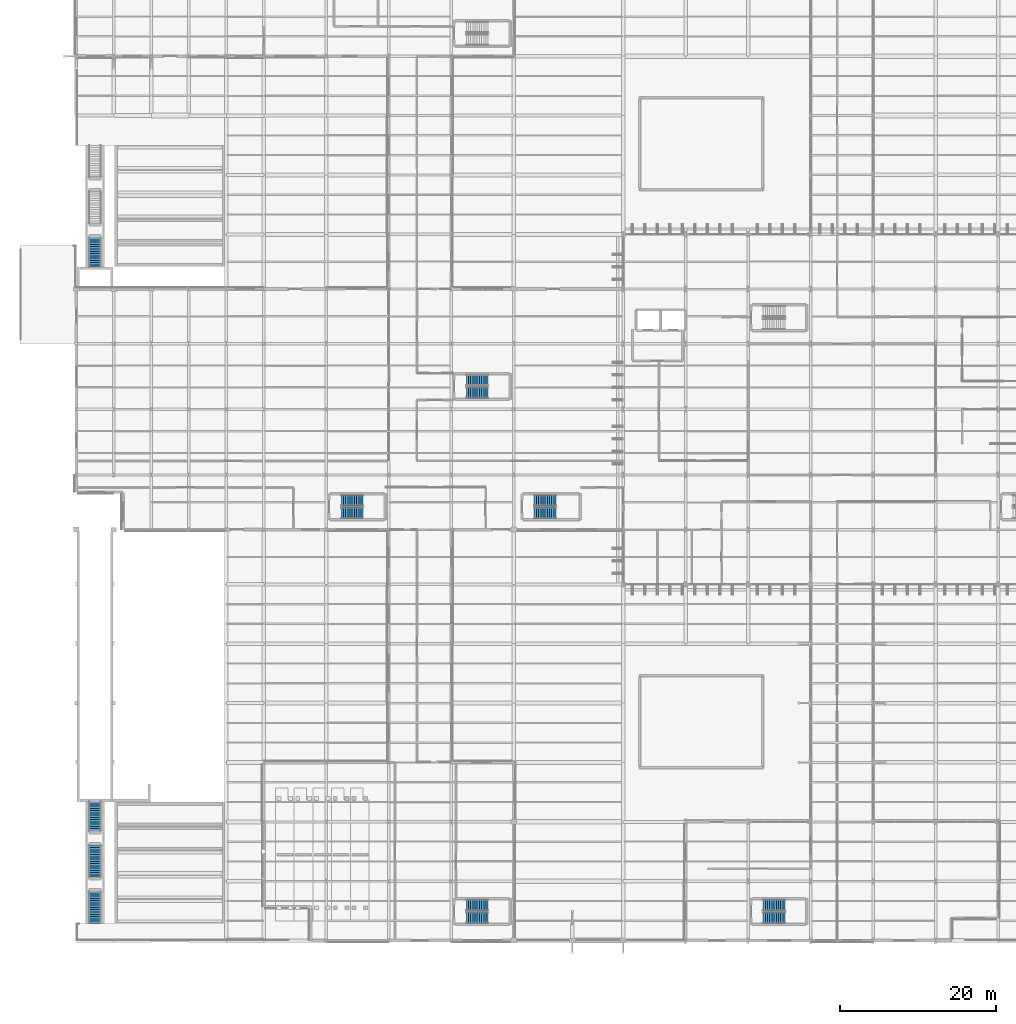
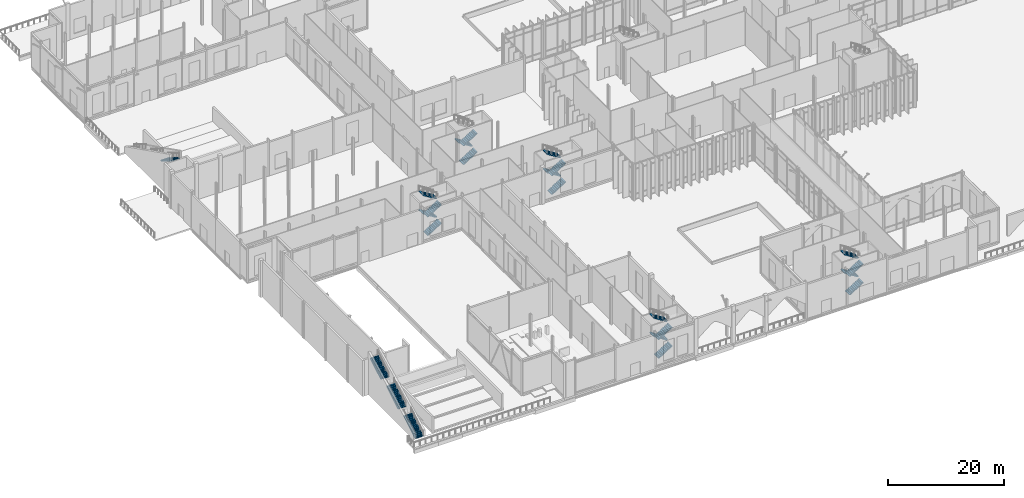
# One storey, part 150 of 176: 23 stair flights, 7 elements without a shape of their own.
"""IFC4 building model written with IfcOpenShell, lengths in metres."""

from ifc_helpers import new_model, si_unit, direction, frame, origin, place, context, subcontext, project, spatial, polyline, outline, extrude, material, type_object, element, aggregate, save


model = new_model("IFC4")

# Units and contexts
model_context = context("Model", 3, precision=1e-05, world=origin(), true_north=direction((0.0, 1.0)))
body_context = subcontext(model_context, "Body", "Model", "MODEL_VIEW")
ifc_project = project(units=[si_unit("LENGTHUNIT", "METRE"), si_unit("AREAUNIT", "SQUARE_METRE"), si_unit("VOLUMEUNIT", "CUBIC_METRE"), si_unit("PLANEANGLEUNIT", "RADIAN"), si_unit("MASSUNIT", "GRAM", prefix="KILO")], contexts=[model_context])

# Site, building, storey
site_placement = place(None, origin())
site = spatial("IfcSite", under=ifc_project, at=site_placement, CompositionType="ELEMENT")
building_placement = place(site_placement, origin())
building = spatial("IfcBuilding", under=site, at=building_placement, Name="Vekula Escarpment Museum", CompositionType="ELEMENT")
storey_placement = place(building_placement, origin())
storey = spatial("IfcBuildingStorey", under=building, at=storey_placement, Name="L01", CompositionType="ELEMENT", Elevation=0.0)

# Stair, stair flights
ifc_material_1 = material(Name="Precast concrete C40/50", Category="concrete")
stair_type_1 = type_object("IfcStairType", Name="STR-AMP-165", PredefinedType="STRAIGHT_RUN_STAIR", material=ifc_material_1)
stair_1_placement = place(storey_placement, origin())
stair_1 = element("IfcStair", 1, at=stair_1_placement, inside=storey, type_object=stair_type_1, Name="South Escarpment Plinth Stair Tier 1 ST-AMP-S1", PredefinedType="STRAIGHT_RUN_STAIR")
ifc_material_2 = material(Name="Precast concrete C40/50", Category="concrete")
stair_flight_type_1 = type_object("IfcStairFlightType", Name="FLT-AMP-165", PredefinedType="STRAIGHT", material=ifc_material_2)
stair_flight_1_placement = place(storey_placement, frame((2.39990234375, 2.2099609375, 0.0), z_axis=(0.0, 0.0, 1.0), x_axis=(0.0, 1.0, 0.0)))
stair_flight_1 = element("IfcStairFlight", 2, at=stair_flight_1_placement, type_object=stair_flight_type_1, Name="ST-AMP-S1 flight 1", NumberOfRisers=15, NumberOfTreads=14, PredefinedType="STRAIGHT", RiserHeight=0.177273, TreadLength=0.29, context=body_context, shape_type="SweptSolid", body=[
    extrude(outline(polyline([(0.0, 0.0), (0.0, 0.17724609375), (0.2900390625, 0.17724609375), (0.2900390625, 0.3544921875), (0.580078125, 0.3544921875), (0.580078125, 0.53173828125), (0.8701171875, 0.53173828125), (0.8701171875, 0.708984375), (1.159912109375, 0.708984375), (1.159912109375, 0.886474609375), (1.449951171875, 0.886474609375), (1.449951171875, 1.063720703125), (1.739990234375, 1.063720703125), (1.739990234375, 1.240966796875), (2.030029296875, 1.240966796875), (2.030029296875, 1.418212890625), (2.320068359375, 1.418212890625), (2.320068359375, 1.595458984375), (2.610107421875, 1.595458984375), (2.610107421875, 1.772705078125), (2.89990234375, 1.772705078125), (2.89990234375, 1.949951171875), (3.18994140625, 1.949951171875), (3.18994140625, 2.127197265625), (3.47998046875, 2.127197265625), (3.47998046875, 2.304443359375), (3.77001953125, 2.304443359375), (3.77001953125, 2.48193359375), (4.06005859375, 2.48193359375), (4.06005859375, 2.6591796875), (4.06005859375, 2.27099609375), (0.344970703125, 0.0), (0.0, 0.0)])), frame((0.0, 0.824951171875, 0.0), z_axis=(0.0, -1.0, 0.0), x_axis=(1.0, 0.0, 0.0)), (0.0, 0.0, 1.0), 1.64990234375),
])
stair_flight_2_placement = place(storey_placement, frame((2.39990234375, 8.1201171875, 2.6591796875), z_axis=(0.0, 0.0, 1.0), x_axis=(0.0, 1.0, 0.0)))
stair_flight_2 = element("IfcStairFlight", 3, at=stair_flight_2_placement, type_object=stair_flight_type_1, Name="ST-AMP-S1 flight 2", NumberOfRisers=15, NumberOfTreads=14, PredefinedType="STRAIGHT", RiserHeight=0.177273, TreadLength=0.29, context=body_context, shape_type="SweptSolid", body=[
    extrude(outline(polyline([(0.0, 0.0), (0.0, 0.17724609375), (0.2900390625, 0.17724609375), (0.2900390625, 0.3544921875), (0.580078125, 0.3544921875), (0.580078125, 0.53173828125), (0.8701171875, 0.53173828125), (0.8701171875, 0.708984375), (1.159912109375, 0.708984375), (1.159912109375, 0.886474609375), (1.449951171875, 0.886474609375), (1.449951171875, 1.063720703125), (1.739990234375, 1.063720703125), (1.739990234375, 1.240966796875), (2.030029296875, 1.240966796875), (2.030029296875, 1.418212890625), (2.320068359375, 1.418212890625), (2.320068359375, 1.595458984375), (2.610107421875, 1.595458984375), (2.610107421875, 1.772705078125), (2.89990234375, 1.772705078125), (2.89990234375, 1.949951171875), (3.18994140625, 1.949951171875), (3.18994140625, 2.127197265625), (3.47998046875, 2.127197265625), (3.47998046875, 2.304443359375), (3.77001953125, 2.304443359375), (3.77001953125, 2.48193359375), (4.06005859375, 2.48193359375), (4.06005859375, 2.6591796875), (4.06005859375, 2.27099609375), (0.344970703125, 0.0), (0.0, 0.0)])), frame((0.0, 0.824951171875, 0.0), z_axis=(0.0, -1.0, 0.0), x_axis=(1.0, 0.0, 0.0)), (0.0, 0.0, 1.0), 1.64990234375),
])
stair_flight_3_placement = place(storey_placement, frame((2.39990234375, 14.030029296875, 5.318115234375), z_axis=(0.0, 0.0, 1.0), x_axis=(0.0, 1.0, 0.0)))
stair_flight_3 = element("IfcStairFlight", 4, at=stair_flight_3_placement, type_object=stair_flight_type_1, Name="ST-AMP-S1 flight 3", NumberOfRisers=14, NumberOfTreads=13, PredefinedType="STRAIGHT", RiserHeight=0.177273, TreadLength=0.29, context=body_context, shape_type="SweptSolid", body=[
    extrude(outline(polyline([(0.0, 0.0), (0.0, 0.17724609375), (0.2900390625, 0.17724609375), (0.2900390625, 0.3544921875), (0.580078125, 0.3544921875), (0.580078125, 0.53173828125), (0.8701171875, 0.53173828125), (0.8701171875, 0.708984375), (1.159912109375, 0.708984375), (1.159912109375, 0.886474609375), (1.449951171875, 0.886474609375), (1.449951171875, 1.063720703125), (1.739990234375, 1.063720703125), (1.739990234375, 1.240966796875), (2.030029296875, 1.240966796875), (2.030029296875, 1.418212890625), (2.320068359375, 1.418212890625), (2.320068359375, 1.595458984375), (2.610107421875, 1.595458984375), (2.610107421875, 1.772705078125), (2.89990234375, 1.772705078125), (2.89990234375, 1.949951171875), (3.18994140625, 1.949951171875), (3.18994140625, 2.127197265625), (3.47998046875, 2.127197265625), (3.47998046875, 2.304443359375), (3.77001953125, 2.304443359375), (3.77001953125, 2.48193359375), (3.77001953125, 2.09375), (0.344970703125, 0.0), (0.0, 0.0)])), frame((0.0, 0.824951171875, 0.0), z_axis=(0.0, -1.0, 0.0), x_axis=(1.0, 0.0, 0.0)), (0.0, 0.0, 1.0), 1.64990234375),
])
aggregate(stair_1, [stair_flight_1, stair_flight_2, stair_flight_3])

# Stair, stair flight
stair_2_placement = place(storey_placement, origin())
stair_2 = element("IfcStair", 5, at=stair_2_placement, inside=storey, type_object=stair_type_1, Name="North Escarpment Plinth Stair Tier 1 ST-AMP-N1", PredefinedType="STRAIGHT_RUN_STAIR")
stair_flight_4_placement = place(storey_placement, frame((2.39990234375, 89.969970703125, 5.318115234375), z_axis=(0.0, 0.0, 1.0), x_axis=(0.0, -1.0, 0.0)))
stair_flight_4 = element("IfcStairFlight", 6, at=stair_flight_4_placement, type_object=stair_flight_type_1, Name="ST-AMP-N1 flight 3", NumberOfRisers=14, NumberOfTreads=13, PredefinedType="STRAIGHT", RiserHeight=0.177273, TreadLength=0.29, context=body_context, shape_type="SweptSolid", body=[
    extrude(outline(polyline([(0.0, 0.0), (0.0, 0.17724609375), (0.2900390625, 0.17724609375), (0.2900390625, 0.3544921875), (0.580078125, 0.3544921875), (0.580078125, 0.53173828125), (0.8701171875, 0.53173828125), (0.8701171875, 0.708984375), (1.159912109375, 0.708984375), (1.159912109375, 0.886474609375), (1.449951171875, 0.886474609375), (1.449951171875, 1.063720703125), (1.739990234375, 1.063720703125), (1.739990234375, 1.240966796875), (2.030029296875, 1.240966796875), (2.030029296875, 1.418212890625), (2.320068359375, 1.418212890625), (2.320068359375, 1.595458984375), (2.610107421875, 1.595458984375), (2.610107421875, 1.772705078125), (2.89990234375, 1.772705078125), (2.89990234375, 1.949951171875), (3.18994140625, 1.949951171875), (3.18994140625, 2.127197265625), (3.47998046875, 2.127197265625), (3.47998046875, 2.304443359375), (3.77001953125, 2.304443359375), (3.77001953125, 2.48193359375), (3.77001953125, 2.09375), (0.344970703125, 0.0), (0.0, 0.0)])), frame((0.0, 0.824951171875, 0.0), z_axis=(0.0, -1.0, 0.0), x_axis=(1.0, 0.0, 0.0)), (0.0, 0.0, 1.0), 1.64990234375),
])
aggregate(stair_2, [stair_flight_4])

# Stair, stair flights
ifc_material_3 = material(Name="Concrete C35/45", Category="concrete")
stair_type_2 = type_object("IfcStairType", Name="STR-TYPE-142", PredefinedType="HALF_TURN_STAIR", material=ifc_material_3)
stair_3_placement = place(storey_placement, origin())
stair_3 = element("IfcStair", 7, at=stair_3_placement, inside=storey, type_object=stair_type_2, Name="L01 Central West Exit Stair ST-01", PredefinedType="HALF_TURN_STAIR")
ifc_material_4 = material(Name="Concrete C35/45", Category="concrete")
stair_flight_type_2 = type_object("IfcStairFlightType", Name="FLT-TYPE-142", PredefinedType="STRAIGHT", material=ifc_material_4)
stair_flight_5_placement = place(storey_placement, frame((58.6201171875, 54.7099609375, 0.0), z_axis=(0.0, 0.0, 1.0), x_axis=(1.0, 0.0, 0.0)))
stair_flight_5 = element("IfcStairFlight", 8, at=stair_flight_5_placement, type_object=stair_flight_type_2, Name="ST-01 flight 1", NumberOfRisers=11, NumberOfTreads=10, PredefinedType="STRAIGHT", RiserHeight=0.177272727, TreadLength=0.28, context=body_context, shape_type="SweptSolid", body=[
    extrude(outline(polyline([(0.0, 0.0), (0.0, 0.17724609375), (0.280029296875, 0.17724609375), (0.280029296875, 0.3544921875), (0.56005859375, 0.3544921875), (0.56005859375, 0.53173828125), (0.840087890625, 0.53173828125), (0.840087890625, 0.708984375), (1.1201171875, 0.708984375), (1.1201171875, 0.886474609375), (1.39990234375, 0.886474609375), (1.39990234375, 1.063720703125), (1.679931640625, 1.063720703125), (1.679931640625, 1.240966796875), (1.9599609375, 1.240966796875), (1.9599609375, 1.418212890625), (2.239990234375, 1.418212890625), (2.239990234375, 1.595458984375), (2.52001953125, 1.595458984375), (2.52001953125, 1.772705078125), (2.800048828125, 1.772705078125), (2.800048828125, 1.949951171875), (2.800048828125, 1.59521484375), (0.2802734375, 0.0), (0.0, 0.0)])), frame((0.0, 0.7099609375, 0.0), z_axis=(0.0, -1.0, 0.0), x_axis=(1.0, 0.0, 0.0)), (0.0, 0.0, 1.0), 1.419921875),
])
stair_flight_6_placement = place(storey_placement, frame((61.419921875, 56.330078125, 1.949951171875), z_axis=(0.0, 0.0, 1.0), x_axis=(-1.0, 0.0, 0.0)))
stair_flight_6 = element("IfcStairFlight", 9, at=stair_flight_6_placement, type_object=stair_flight_type_2, Name="ST-01 flight 2", NumberOfRisers=11, NumberOfTreads=10, PredefinedType="STRAIGHT", RiserHeight=0.177272727, TreadLength=0.28, context=body_context, shape_type="SweptSolid", body=[
    extrude(outline(polyline([(0.0, 0.0), (0.0, 0.17724609375), (0.280029296875, 0.17724609375), (0.280029296875, 0.3544921875), (0.56005859375, 0.3544921875), (0.56005859375, 0.53173828125), (0.840087890625, 0.53173828125), (0.840087890625, 0.708984375), (1.1201171875, 0.708984375), (1.1201171875, 0.886474609375), (1.39990234375, 0.886474609375), (1.39990234375, 1.063720703125), (1.679931640625, 1.063720703125), (1.679931640625, 1.240966796875), (1.9599609375, 1.240966796875), (1.9599609375, 1.418212890625), (2.239990234375, 1.418212890625), (2.239990234375, 1.595458984375), (2.52001953125, 1.595458984375), (2.52001953125, 1.772705078125), (2.800048828125, 1.772705078125), (2.800048828125, 1.949951171875), (2.800048828125, 1.59521484375), (0.2802734375, 0.0), (0.0, 0.0)])), frame((0.0, 0.7099609375, 0.0), z_axis=(0.0, -1.0, 0.0), x_axis=(1.0, 0.0, 0.0)), (0.0, 0.0, 1.0), 1.419921875),
])
stair_flight_7_placement = place(storey_placement, frame((58.6201171875, 54.7099609375, 3.89990234375), z_axis=(0.0, 0.0, 1.0), x_axis=(1.0, 0.0, 0.0)))
stair_flight_7 = element("IfcStairFlight", 10, at=stair_flight_7_placement, type_object=stair_flight_type_2, Name="ST-01 flight 3", NumberOfRisers=11, NumberOfTreads=10, PredefinedType="STRAIGHT", RiserHeight=0.177272727, TreadLength=0.28, context=body_context, shape_type="SweptSolid", body=[
    extrude(outline(polyline([(0.0, 0.0), (0.0, 0.17724609375), (0.280029296875, 0.17724609375), (0.280029296875, 0.3544921875), (0.56005859375, 0.3544921875), (0.56005859375, 0.53173828125), (0.840087890625, 0.53173828125), (0.840087890625, 0.708984375), (1.1201171875, 0.708984375), (1.1201171875, 0.886474609375), (1.39990234375, 0.886474609375), (1.39990234375, 1.063720703125), (1.679931640625, 1.063720703125), (1.679931640625, 1.240966796875), (1.9599609375, 1.240966796875), (1.9599609375, 1.418212890625), (2.239990234375, 1.418212890625), (2.239990234375, 1.595458984375), (2.52001953125, 1.595458984375), (2.52001953125, 1.772705078125), (2.800048828125, 1.772705078125), (2.800048828125, 1.949951171875), (2.800048828125, 1.59521484375), (0.2802734375, 0.0), (0.0, 0.0)])), frame((0.0, 0.7099609375, 0.0), z_axis=(0.0, -1.0, 0.0), x_axis=(1.0, 0.0, 0.0)), (0.0, 0.0, 1.0), 1.419921875),
])
stair_flight_8_placement = place(storey_placement, frame((61.419921875, 56.330078125, 5.85009765625), z_axis=(0.0, 0.0, 1.0), x_axis=(-1.0, 0.0, 0.0)))
stair_flight_8 = element("IfcStairFlight", 11, at=stair_flight_8_placement, type_object=stair_flight_type_2, Name="ST-01 flight 4", NumberOfRisers=11, NumberOfTreads=10, PredefinedType="STRAIGHT", RiserHeight=0.177272727, TreadLength=0.28, context=body_context, shape_type="SweptSolid", body=[
    extrude(outline(polyline([(0.0, 0.0), (0.0, 0.17724609375), (0.280029296875, 0.17724609375), (0.280029296875, 0.3544921875), (0.56005859375, 0.3544921875), (0.56005859375, 0.53173828125), (0.840087890625, 0.53173828125), (0.840087890625, 0.708984375), (1.1201171875, 0.708984375), (1.1201171875, 0.886474609375), (1.39990234375, 0.886474609375), (1.39990234375, 1.063720703125), (1.679931640625, 1.063720703125), (1.679931640625, 1.240966796875), (1.9599609375, 1.240966796875), (1.9599609375, 1.418212890625), (2.239990234375, 1.418212890625), (2.239990234375, 1.595458984375), (2.52001953125, 1.595458984375), (2.52001953125, 1.772705078125), (2.800048828125, 1.772705078125), (2.800048828125, 1.949951171875), (2.800048828125, 1.59521484375), (0.2802734375, 0.0), (0.0, 0.0)])), frame((0.0, 0.7099609375, 0.0), z_axis=(0.0, -1.0, 0.0), x_axis=(1.0, 0.0, 0.0)), (0.0, 0.0, 1.0), 1.419921875),
])
aggregate(stair_3, [stair_flight_5, stair_flight_6, stair_flight_7, stair_flight_8])

stair_4_placement = place(storey_placement, origin())
stair_4 = element("IfcStair", 12, at=stair_4_placement, inside=storey, type_object=stair_type_2, Name="L01 Plinth West Exit Stair ST-04", PredefinedType="HALF_TURN_STAIR")
stair_flight_9_placement = place(storey_placement, frame((33.919921875, 54.7099609375, 0.0), z_axis=(0.0, 0.0, 1.0), x_axis=(1.0, 0.0, 0.0)))
stair_flight_9 = element("IfcStairFlight", 13, at=stair_flight_9_placement, type_object=stair_flight_type_2, Name="ST-04 flight 1", NumberOfRisers=11, NumberOfTreads=10, PredefinedType="STRAIGHT", RiserHeight=0.177272727, TreadLength=0.28, context=body_context, shape_type="SweptSolid", body=[
    extrude(outline(polyline([(0.0, 0.0), (0.0, 0.17724609375), (0.280029296875, 0.17724609375), (0.280029296875, 0.3544921875), (0.56005859375, 0.3544921875), (0.56005859375, 0.53173828125), (0.840087890625, 0.53173828125), (0.840087890625, 0.708984375), (1.1201171875, 0.708984375), (1.1201171875, 0.886474609375), (1.39990234375, 0.886474609375), (1.39990234375, 1.063720703125), (1.679931640625, 1.063720703125), (1.679931640625, 1.240966796875), (1.9599609375, 1.240966796875), (1.9599609375, 1.418212890625), (2.239990234375, 1.418212890625), (2.239990234375, 1.595458984375), (2.52001953125, 1.595458984375), (2.52001953125, 1.772705078125), (2.800048828125, 1.772705078125), (2.800048828125, 1.949951171875), (2.800048828125, 1.59521484375), (0.2802734375, 0.0), (0.0, 0.0)])), frame((0.0, 0.7099609375, 0.0), z_axis=(0.0, -1.0, 0.0), x_axis=(1.0, 0.0, 0.0)), (0.0, 0.0, 1.0), 1.419921875),
])
stair_flight_10_placement = place(storey_placement, frame((36.719970703125, 56.330078125, 1.949951171875), z_axis=(0.0, 0.0, 1.0), x_axis=(-1.0, 0.0, 0.0)))
stair_flight_10 = element("IfcStairFlight", 14, at=stair_flight_10_placement, type_object=stair_flight_type_2, Name="ST-04 flight 2", NumberOfRisers=11, NumberOfTreads=10, PredefinedType="STRAIGHT", RiserHeight=0.177272727, TreadLength=0.28, context=body_context, shape_type="SweptSolid", body=[
    extrude(outline(polyline([(0.0, 0.0), (0.0, 0.17724609375), (0.280029296875, 0.17724609375), (0.280029296875, 0.3544921875), (0.56005859375, 0.3544921875), (0.56005859375, 0.53173828125), (0.840087890625, 0.53173828125), (0.840087890625, 0.708984375), (1.1201171875, 0.708984375), (1.1201171875, 0.886474609375), (1.39990234375, 0.886474609375), (1.39990234375, 1.063720703125), (1.679931640625, 1.063720703125), (1.679931640625, 1.240966796875), (1.9599609375, 1.240966796875), (1.9599609375, 1.418212890625), (2.239990234375, 1.418212890625), (2.239990234375, 1.595458984375), (2.52001953125, 1.595458984375), (2.52001953125, 1.772705078125), (2.800048828125, 1.772705078125), (2.800048828125, 1.949951171875), (2.800048828125, 1.59521484375), (0.2802734375, 0.0), (0.0, 0.0)])), frame((0.0, 0.7099609375, 0.0), z_axis=(0.0, -1.0, 0.0), x_axis=(1.0, 0.0, 0.0)), (0.0, 0.0, 1.0), 1.419921875),
])
stair_flight_11_placement = place(storey_placement, frame((33.919921875, 54.7099609375, 3.89990234375), z_axis=(0.0, 0.0, 1.0), x_axis=(1.0, 0.0, 0.0)))
stair_flight_11 = element("IfcStairFlight", 15, at=stair_flight_11_placement, type_object=stair_flight_type_2, Name="ST-04 flight 3", NumberOfRisers=11, NumberOfTreads=10, PredefinedType="STRAIGHT", RiserHeight=0.177272727, TreadLength=0.28, context=body_context, shape_type="SweptSolid", body=[
    extrude(outline(polyline([(0.0, 0.0), (0.0, 0.17724609375), (0.280029296875, 0.17724609375), (0.280029296875, 0.3544921875), (0.56005859375, 0.3544921875), (0.56005859375, 0.53173828125), (0.840087890625, 0.53173828125), (0.840087890625, 0.708984375), (1.1201171875, 0.708984375), (1.1201171875, 0.886474609375), (1.39990234375, 0.886474609375), (1.39990234375, 1.063720703125), (1.679931640625, 1.063720703125), (1.679931640625, 1.240966796875), (1.9599609375, 1.240966796875), (1.9599609375, 1.418212890625), (2.239990234375, 1.418212890625), (2.239990234375, 1.595458984375), (2.52001953125, 1.595458984375), (2.52001953125, 1.772705078125), (2.800048828125, 1.772705078125), (2.800048828125, 1.949951171875), (2.800048828125, 1.59521484375), (0.2802734375, 0.0), (0.0, 0.0)])), frame((0.0, 0.7099609375, 0.0), z_axis=(0.0, -1.0, 0.0), x_axis=(1.0, 0.0, 0.0)), (0.0, 0.0, 1.0), 1.419921875),
])
stair_flight_12_placement = place(storey_placement, frame((36.719970703125, 56.330078125, 5.85009765625), z_axis=(0.0, 0.0, 1.0), x_axis=(-1.0, 0.0, 0.0)))
stair_flight_12 = element("IfcStairFlight", 16, at=stair_flight_12_placement, type_object=stair_flight_type_2, Name="ST-04 flight 4", NumberOfRisers=11, NumberOfTreads=10, PredefinedType="STRAIGHT", RiserHeight=0.177272727, TreadLength=0.28, context=body_context, shape_type="SweptSolid", body=[
    extrude(outline(polyline([(0.0, 0.0), (0.0, 0.17724609375), (0.280029296875, 0.17724609375), (0.280029296875, 0.3544921875), (0.56005859375, 0.3544921875), (0.56005859375, 0.53173828125), (0.840087890625, 0.53173828125), (0.840087890625, 0.708984375), (1.1201171875, 0.708984375), (1.1201171875, 0.886474609375), (1.39990234375, 0.886474609375), (1.39990234375, 1.063720703125), (1.679931640625, 1.063720703125), (1.679931640625, 1.240966796875), (1.9599609375, 1.240966796875), (1.9599609375, 1.418212890625), (2.239990234375, 1.418212890625), (2.239990234375, 1.595458984375), (2.52001953125, 1.595458984375), (2.52001953125, 1.772705078125), (2.800048828125, 1.772705078125), (2.800048828125, 1.949951171875), (2.800048828125, 1.59521484375), (0.2802734375, 0.0), (0.0, 0.0)])), frame((0.0, 0.7099609375, 0.0), z_axis=(0.0, -1.0, 0.0), x_axis=(1.0, 0.0, 0.0)), (0.0, 0.0, 1.0), 1.419921875),
])
aggregate(stair_4, [stair_flight_9, stair_flight_10, stair_flight_11, stair_flight_12])

stair_5_placement = place(storey_placement, origin())
stair_5 = element("IfcStair", 17, at=stair_5_placement, inside=storey, type_object=stair_type_2, Name="L01 Auditorium West Exit Stair ST-07", PredefinedType="HALF_TURN_STAIR")
stair_flight_13_placement = place(storey_placement, frame((49.919921875, 2.909912109375, 0.0), z_axis=(0.0, 0.0, 1.0), x_axis=(1.0, 0.0, 0.0)))
stair_flight_13 = element("IfcStairFlight", 18, at=stair_flight_13_placement, type_object=stair_flight_type_2, Name="ST-07 flight 1", NumberOfRisers=11, NumberOfTreads=10, PredefinedType="STRAIGHT", RiserHeight=0.177272727, TreadLength=0.28, context=body_context, shape_type="SweptSolid", body=[
    extrude(outline(polyline([(0.0, 0.0), (0.0, 0.17724609375), (0.280029296875, 0.17724609375), (0.280029296875, 0.3544921875), (0.56005859375, 0.3544921875), (0.56005859375, 0.53173828125), (0.840087890625, 0.53173828125), (0.840087890625, 0.708984375), (1.1201171875, 0.708984375), (1.1201171875, 0.886474609375), (1.39990234375, 0.886474609375), (1.39990234375, 1.063720703125), (1.679931640625, 1.063720703125), (1.679931640625, 1.240966796875), (1.9599609375, 1.240966796875), (1.9599609375, 1.418212890625), (2.239990234375, 1.418212890625), (2.239990234375, 1.595458984375), (2.52001953125, 1.595458984375), (2.52001953125, 1.772705078125), (2.800048828125, 1.772705078125), (2.800048828125, 1.949951171875), (2.800048828125, 1.59521484375), (0.2802734375, 0.0), (0.0, 0.0)])), frame((0.0, 0.7099609375, 0.0), z_axis=(0.0, -1.0, 0.0), x_axis=(1.0, 0.0, 0.0)), (0.0, 0.0, 1.0), 1.419921875),
])
stair_flight_14_placement = place(storey_placement, frame((52.719970703125, 4.530029296875, 1.949951171875), z_axis=(0.0, 0.0, 1.0), x_axis=(-1.0, 0.0, 0.0)))
stair_flight_14 = element("IfcStairFlight", 19, at=stair_flight_14_placement, type_object=stair_flight_type_2, Name="ST-07 flight 2", NumberOfRisers=11, NumberOfTreads=10, PredefinedType="STRAIGHT", RiserHeight=0.177272727, TreadLength=0.28, context=body_context, shape_type="SweptSolid", body=[
    extrude(outline(polyline([(0.0, 0.0), (0.0, 0.17724609375), (0.280029296875, 0.17724609375), (0.280029296875, 0.3544921875), (0.56005859375, 0.3544921875), (0.56005859375, 0.53173828125), (0.840087890625, 0.53173828125), (0.840087890625, 0.708984375), (1.1201171875, 0.708984375), (1.1201171875, 0.886474609375), (1.39990234375, 0.886474609375), (1.39990234375, 1.063720703125), (1.679931640625, 1.063720703125), (1.679931640625, 1.240966796875), (1.9599609375, 1.240966796875), (1.9599609375, 1.418212890625), (2.239990234375, 1.418212890625), (2.239990234375, 1.595458984375), (2.52001953125, 1.595458984375), (2.52001953125, 1.772705078125), (2.800048828125, 1.772705078125), (2.800048828125, 1.949951171875), (2.800048828125, 1.59521484375), (0.2802734375, 0.0), (0.0, 0.0)])), frame((0.0, 0.7099609375, 0.0), z_axis=(0.0, -1.0, 0.0), x_axis=(1.0, 0.0, 0.0)), (0.0, 0.0, 1.0), 1.419921875),
])
stair_flight_15_placement = place(storey_placement, frame((49.919921875, 2.909912109375, 3.89990234375), z_axis=(0.0, 0.0, 1.0), x_axis=(1.0, 0.0, 0.0)))
stair_flight_15 = element("IfcStairFlight", 20, at=stair_flight_15_placement, type_object=stair_flight_type_2, Name="ST-07 flight 3", NumberOfRisers=11, NumberOfTreads=10, PredefinedType="STRAIGHT", RiserHeight=0.177272727, TreadLength=0.28, context=body_context, shape_type="SweptSolid", body=[
    extrude(outline(polyline([(0.0, 0.0), (0.0, 0.17724609375), (0.280029296875, 0.17724609375), (0.280029296875, 0.3544921875), (0.56005859375, 0.3544921875), (0.56005859375, 0.53173828125), (0.840087890625, 0.53173828125), (0.840087890625, 0.708984375), (1.1201171875, 0.708984375), (1.1201171875, 0.886474609375), (1.39990234375, 0.886474609375), (1.39990234375, 1.063720703125), (1.679931640625, 1.063720703125), (1.679931640625, 1.240966796875), (1.9599609375, 1.240966796875), (1.9599609375, 1.418212890625), (2.239990234375, 1.418212890625), (2.239990234375, 1.595458984375), (2.52001953125, 1.595458984375), (2.52001953125, 1.772705078125), (2.800048828125, 1.772705078125), (2.800048828125, 1.949951171875), (2.800048828125, 1.59521484375), (0.2802734375, 0.0), (0.0, 0.0)])), frame((0.0, 0.7099609375, 0.0), z_axis=(0.0, -1.0, 0.0), x_axis=(1.0, 0.0, 0.0)), (0.0, 0.0, 1.0), 1.419921875),
])
stair_flight_16_placement = place(storey_placement, frame((52.719970703125, 4.530029296875, 5.85009765625), z_axis=(0.0, 0.0, 1.0), x_axis=(-1.0, 0.0, 0.0)))
stair_flight_16 = element("IfcStairFlight", 21, at=stair_flight_16_placement, type_object=stair_flight_type_2, Name="ST-07 flight 4", NumberOfRisers=11, NumberOfTreads=10, PredefinedType="STRAIGHT", RiserHeight=0.177272727, TreadLength=0.28, context=body_context, shape_type="SweptSolid", body=[
    extrude(outline(polyline([(0.0, 0.0), (0.0, 0.17724609375), (0.280029296875, 0.17724609375), (0.280029296875, 0.3544921875), (0.56005859375, 0.3544921875), (0.56005859375, 0.53173828125), (0.840087890625, 0.53173828125), (0.840087890625, 0.708984375), (1.1201171875, 0.708984375), (1.1201171875, 0.886474609375), (1.39990234375, 0.886474609375), (1.39990234375, 1.063720703125), (1.679931640625, 1.063720703125), (1.679931640625, 1.240966796875), (1.9599609375, 1.240966796875), (1.9599609375, 1.418212890625), (2.239990234375, 1.418212890625), (2.239990234375, 1.595458984375), (2.52001953125, 1.595458984375), (2.52001953125, 1.772705078125), (2.800048828125, 1.772705078125), (2.800048828125, 1.949951171875), (2.800048828125, 1.59521484375), (0.2802734375, 0.0), (0.0, 0.0)])), frame((0.0, 0.7099609375, 0.0), z_axis=(0.0, -1.0, 0.0), x_axis=(1.0, 0.0, 0.0)), (0.0, 0.0, 1.0), 1.419921875),
])
aggregate(stair_5, [stair_flight_13, stair_flight_14, stair_flight_15, stair_flight_16])

stair_6_placement = place(storey_placement, origin())
stair_6 = element("IfcStair", 22, at=stair_6_placement, inside=storey, type_object=stair_type_2, Name="L01 Plinth Mid Exit Stair ST-10", PredefinedType="HALF_TURN_STAIR")
stair_flight_17_placement = place(storey_placement, frame((49.919921875, 70.110107421875, 0.0), z_axis=(0.0, 0.0, 1.0), x_axis=(1.0, 0.0, 0.0)))
stair_flight_17 = element("IfcStairFlight", 23, at=stair_flight_17_placement, type_object=stair_flight_type_2, Name="ST-10 flight 1", NumberOfRisers=11, NumberOfTreads=10, PredefinedType="STRAIGHT", RiserHeight=0.177272727, TreadLength=0.28, context=body_context, shape_type="SweptSolid", body=[
    extrude(outline(polyline([(0.0, 0.0), (0.0, 0.17724609375), (0.280029296875, 0.17724609375), (0.280029296875, 0.3544921875), (0.56005859375, 0.3544921875), (0.56005859375, 0.53173828125), (0.840087890625, 0.53173828125), (0.840087890625, 0.708984375), (1.1201171875, 0.708984375), (1.1201171875, 0.886474609375), (1.39990234375, 0.886474609375), (1.39990234375, 1.063720703125), (1.679931640625, 1.063720703125), (1.679931640625, 1.240966796875), (1.9599609375, 1.240966796875), (1.9599609375, 1.418212890625), (2.239990234375, 1.418212890625), (2.239990234375, 1.595458984375), (2.52001953125, 1.595458984375), (2.52001953125, 1.772705078125), (2.800048828125, 1.772705078125), (2.800048828125, 1.949951171875), (2.800048828125, 1.59521484375), (0.2802734375, 0.0), (0.0, 0.0)])), frame((0.0, 0.7099609375, 0.0), z_axis=(0.0, -1.0, 0.0), x_axis=(1.0, 0.0, 0.0)), (0.0, 0.0, 1.0), 1.419921875),
])
stair_flight_18_placement = place(storey_placement, frame((52.719970703125, 71.72998046875, 1.949951171875), z_axis=(0.0, 0.0, 1.0), x_axis=(-1.0, 0.0, 0.0)))
stair_flight_18 = element("IfcStairFlight", 24, at=stair_flight_18_placement, type_object=stair_flight_type_2, Name="ST-10 flight 2", NumberOfRisers=11, NumberOfTreads=10, PredefinedType="STRAIGHT", RiserHeight=0.177272727, TreadLength=0.28, context=body_context, shape_type="SweptSolid", body=[
    extrude(outline(polyline([(0.0, 0.0), (0.0, 0.17724609375), (0.280029296875, 0.17724609375), (0.280029296875, 0.3544921875), (0.56005859375, 0.3544921875), (0.56005859375, 0.53173828125), (0.840087890625, 0.53173828125), (0.840087890625, 0.708984375), (1.1201171875, 0.708984375), (1.1201171875, 0.886474609375), (1.39990234375, 0.886474609375), (1.39990234375, 1.063720703125), (1.679931640625, 1.063720703125), (1.679931640625, 1.240966796875), (1.9599609375, 1.240966796875), (1.9599609375, 1.418212890625), (2.239990234375, 1.418212890625), (2.239990234375, 1.595458984375), (2.52001953125, 1.595458984375), (2.52001953125, 1.772705078125), (2.800048828125, 1.772705078125), (2.800048828125, 1.949951171875), (2.800048828125, 1.59521484375), (0.2802734375, 0.0), (0.0, 0.0)])), frame((0.0, 0.7099609375, 0.0), z_axis=(0.0, -1.0, 0.0), x_axis=(1.0, 0.0, 0.0)), (0.0, 0.0, 1.0), 1.419921875),
])
stair_flight_19_placement = place(storey_placement, frame((49.919921875, 70.110107421875, 3.89990234375), z_axis=(0.0, 0.0, 1.0), x_axis=(1.0, 0.0, 0.0)))
stair_flight_19 = element("IfcStairFlight", 25, at=stair_flight_19_placement, type_object=stair_flight_type_2, Name="ST-10 flight 3", NumberOfRisers=11, NumberOfTreads=10, PredefinedType="STRAIGHT", RiserHeight=0.177272727, TreadLength=0.28, context=body_context, shape_type="SweptSolid", body=[
    extrude(outline(polyline([(0.0, 0.0), (0.0, 0.17724609375), (0.280029296875, 0.17724609375), (0.280029296875, 0.3544921875), (0.56005859375, 0.3544921875), (0.56005859375, 0.53173828125), (0.840087890625, 0.53173828125), (0.840087890625, 0.708984375), (1.1201171875, 0.708984375), (1.1201171875, 0.886474609375), (1.39990234375, 0.886474609375), (1.39990234375, 1.063720703125), (1.679931640625, 1.063720703125), (1.679931640625, 1.240966796875), (1.9599609375, 1.240966796875), (1.9599609375, 1.418212890625), (2.239990234375, 1.418212890625), (2.239990234375, 1.595458984375), (2.52001953125, 1.595458984375), (2.52001953125, 1.772705078125), (2.800048828125, 1.772705078125), (2.800048828125, 1.949951171875), (2.800048828125, 1.59521484375), (0.2802734375, 0.0), (0.0, 0.0)])), frame((0.0, 0.7099609375, 0.0), z_axis=(0.0, -1.0, 0.0), x_axis=(1.0, 0.0, 0.0)), (0.0, 0.0, 1.0), 1.419921875),
])
aggregate(stair_6, [stair_flight_17, stair_flight_18, stair_flight_19])

stair_7_placement = place(storey_placement, origin())
stair_7 = element("IfcStair", 26, at=stair_7_placement, inside=storey, type_object=stair_type_2, Name="L01 South Courtyard Pavilion Exit Stair ST-11", PredefinedType="HALF_TURN_STAIR")
stair_flight_20_placement = place(storey_placement, frame((87.919921875, 2.909912109375, 0.0), z_axis=(0.0, 0.0, 1.0), x_axis=(1.0, 0.0, 0.0)))
stair_flight_20 = element("IfcStairFlight", 27, at=stair_flight_20_placement, type_object=stair_flight_type_2, Name="ST-11 flight 1", NumberOfRisers=11, NumberOfTreads=10, PredefinedType="STRAIGHT", RiserHeight=0.177272727, TreadLength=0.28, context=body_context, shape_type="SweptSolid", body=[
    extrude(outline(polyline([(0.0, 0.0), (0.0, 0.17724609375), (0.280029296875, 0.17724609375), (0.280029296875, 0.3544921875), (0.56005859375, 0.3544921875), (0.56005859375, 0.53173828125), (0.840087890625, 0.53173828125), (0.840087890625, 0.708984375), (1.1201171875, 0.708984375), (1.1201171875, 0.886474609375), (1.39990234375, 0.886474609375), (1.39990234375, 1.063720703125), (1.679931640625, 1.063720703125), (1.679931640625, 1.240966796875), (1.9599609375, 1.240966796875), (1.9599609375, 1.418212890625), (2.239990234375, 1.418212890625), (2.239990234375, 1.595458984375), (2.52001953125, 1.595458984375), (2.52001953125, 1.772705078125), (2.800048828125, 1.772705078125), (2.800048828125, 1.949951171875), (2.800048828125, 1.59521484375), (0.2802734375, 0.0), (0.0, 0.0)])), frame((0.0, 0.7099609375, 0.0), z_axis=(0.0, -1.0, 0.0), x_axis=(1.0, 0.0, 0.0)), (0.0, 0.0, 1.0), 1.419921875),
])
stair_flight_21_placement = place(storey_placement, frame((90.719970703125, 4.530029296875, 1.949951171875), z_axis=(0.0, 0.0, 1.0), x_axis=(-1.0, 0.0, 0.0)))
stair_flight_21 = element("IfcStairFlight", 28, at=stair_flight_21_placement, type_object=stair_flight_type_2, Name="ST-11 flight 2", NumberOfRisers=11, NumberOfTreads=10, PredefinedType="STRAIGHT", RiserHeight=0.177272727, TreadLength=0.28, context=body_context, shape_type="SweptSolid", body=[
    extrude(outline(polyline([(0.0, 0.0), (0.0, 0.17724609375), (0.280029296875, 0.17724609375), (0.280029296875, 0.3544921875), (0.56005859375, 0.3544921875), (0.56005859375, 0.53173828125), (0.840087890625, 0.53173828125), (0.840087890625, 0.708984375), (1.1201171875, 0.708984375), (1.1201171875, 0.886474609375), (1.39990234375, 0.886474609375), (1.39990234375, 1.063720703125), (1.679931640625, 1.063720703125), (1.679931640625, 1.240966796875), (1.9599609375, 1.240966796875), (1.9599609375, 1.418212890625), (2.239990234375, 1.418212890625), (2.239990234375, 1.595458984375), (2.52001953125, 1.595458984375), (2.52001953125, 1.772705078125), (2.800048828125, 1.772705078125), (2.800048828125, 1.949951171875), (2.800048828125, 1.59521484375), (0.2802734375, 0.0), (0.0, 0.0)])), frame((0.0, 0.7099609375, 0.0), z_axis=(0.0, -1.0, 0.0), x_axis=(1.0, 0.0, 0.0)), (0.0, 0.0, 1.0), 1.419921875),
])
stair_flight_22_placement = place(storey_placement, frame((87.919921875, 2.909912109375, 3.89990234375), z_axis=(0.0, 0.0, 1.0), x_axis=(1.0, 0.0, 0.0)))
stair_flight_22 = element("IfcStairFlight", 29, at=stair_flight_22_placement, type_object=stair_flight_type_2, Name="ST-11 flight 3", NumberOfRisers=11, NumberOfTreads=10, PredefinedType="STRAIGHT", RiserHeight=0.177272727, TreadLength=0.28, context=body_context, shape_type="SweptSolid", body=[
    extrude(outline(polyline([(0.0, 0.0), (0.0, 0.17724609375), (0.280029296875, 0.17724609375), (0.280029296875, 0.3544921875), (0.56005859375, 0.3544921875), (0.56005859375, 0.53173828125), (0.840087890625, 0.53173828125), (0.840087890625, 0.708984375), (1.1201171875, 0.708984375), (1.1201171875, 0.886474609375), (1.39990234375, 0.886474609375), (1.39990234375, 1.063720703125), (1.679931640625, 1.063720703125), (1.679931640625, 1.240966796875), (1.9599609375, 1.240966796875), (1.9599609375, 1.418212890625), (2.239990234375, 1.418212890625), (2.239990234375, 1.595458984375), (2.52001953125, 1.595458984375), (2.52001953125, 1.772705078125), (2.800048828125, 1.772705078125), (2.800048828125, 1.949951171875), (2.800048828125, 1.59521484375), (0.2802734375, 0.0), (0.0, 0.0)])), frame((0.0, 0.7099609375, 0.0), z_axis=(0.0, -1.0, 0.0), x_axis=(1.0, 0.0, 0.0)), (0.0, 0.0, 1.0), 1.419921875),
])
stair_flight_23_placement = place(storey_placement, frame((90.719970703125, 4.530029296875, 5.85009765625), z_axis=(0.0, 0.0, 1.0), x_axis=(-1.0, 0.0, 0.0)))
stair_flight_23 = element("IfcStairFlight", 30, at=stair_flight_23_placement, type_object=stair_flight_type_2, Name="ST-11 flight 4", NumberOfRisers=11, NumberOfTreads=10, PredefinedType="STRAIGHT", RiserHeight=0.177272727, TreadLength=0.28, context=body_context, shape_type="SweptSolid", body=[
    extrude(outline(polyline([(0.0, 0.0), (0.0, 0.17724609375), (0.280029296875, 0.17724609375), (0.280029296875, 0.3544921875), (0.56005859375, 0.3544921875), (0.56005859375, 0.53173828125), (0.840087890625, 0.53173828125), (0.840087890625, 0.708984375), (1.1201171875, 0.708984375), (1.1201171875, 0.886474609375), (1.39990234375, 0.886474609375), (1.39990234375, 1.063720703125), (1.679931640625, 1.063720703125), (1.679931640625, 1.240966796875), (1.9599609375, 1.240966796875), (1.9599609375, 1.418212890625), (2.239990234375, 1.418212890625), (2.239990234375, 1.595458984375), (2.52001953125, 1.595458984375), (2.52001953125, 1.772705078125), (2.800048828125, 1.772705078125), (2.800048828125, 1.949951171875), (2.800048828125, 1.59521484375), (0.2802734375, 0.0), (0.0, 0.0)])), frame((0.0, 0.7099609375, 0.0), z_axis=(0.0, -1.0, 0.0), x_axis=(1.0, 0.0, 0.0)), (0.0, 0.0, 1.0), 1.419921875),
])
aggregate(stair_7, [stair_flight_20, stair_flight_21, stair_flight_22, stair_flight_23])

save(model, "model.ifc")
